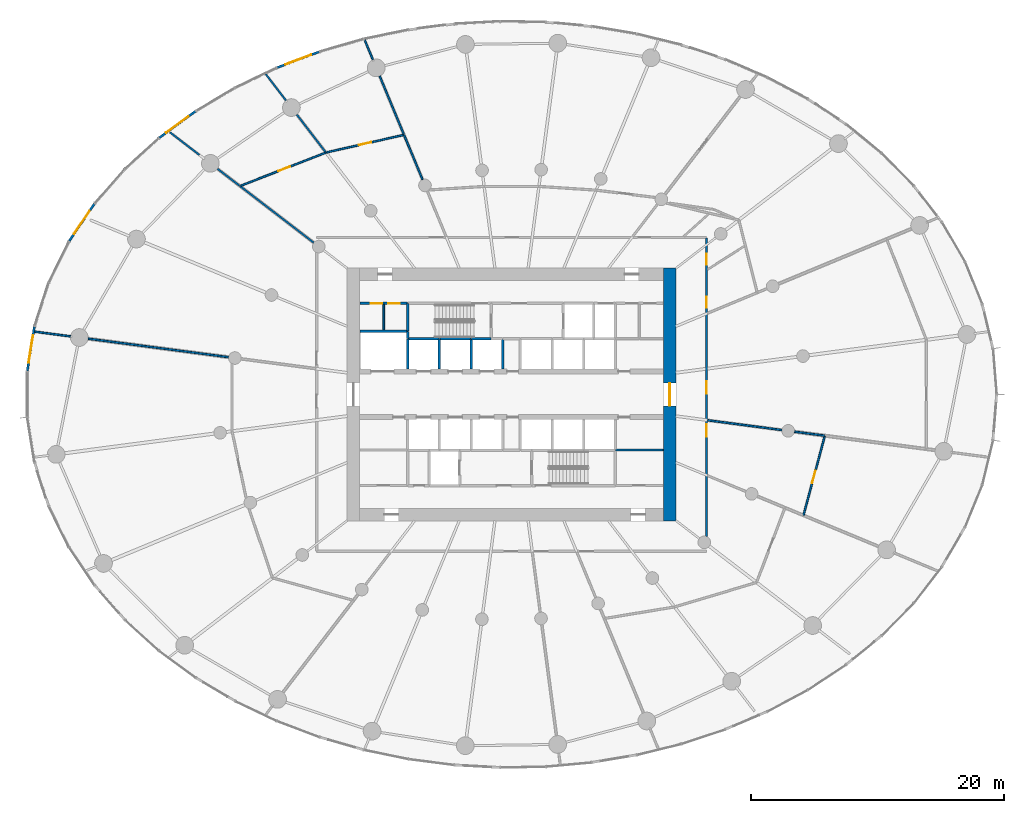
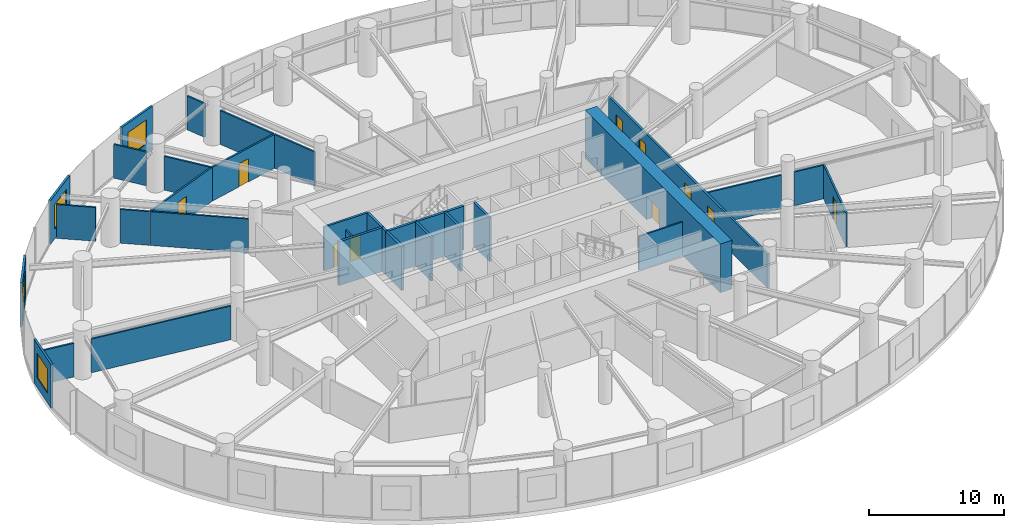
# One storey, part 13 of 19: 34 walls, 10 doors, 4 windows, 14 openings.
"""IFC4 building model written with IfcOpenShell, lengths in metres."""

from ifc_helpers import new_model, si_unit, direction, frame, frame_2d, origin, place, context, subcontext, project, spatial, rectangle, extrude, source, transform, mapped, material, layer, layer_set, type_object, element, fill, save


model = new_model("IFC4")

# Units and contexts
model_context = context("Model", 3, precision=1e-05, world=origin(), true_north=direction((0.0, 1.0)))
body_context = subcontext(model_context, "Body", "Model", "MODEL_VIEW")
ifc_project = project(units=[si_unit("LENGTHUNIT", "METRE"), si_unit("AREAUNIT", "SQUARE_METRE"), si_unit("VOLUMEUNIT", "CUBIC_METRE"), si_unit("PLANEANGLEUNIT", "RADIAN"), si_unit("MASSUNIT", "GRAM", prefix="KILO")], contexts=[model_context])

# Site, building, storey
site_placement = place(None, origin())
site = spatial("IfcSite", under=ifc_project, at=site_placement, CompositionType="ELEMENT")
building_placement = place(site_placement, origin())
building = spatial("IfcBuilding", under=site, at=building_placement, Name="Spindrift Exchange Tower", CompositionType="ELEMENT")
storey_placement = place(building_placement, frame((0.0, 0.0, 22.60009765625)))
storey = spatial("IfcBuildingStorey", under=building, at=storey_placement, Name="L05", CompositionType="ELEMENT", Elevation=22.60009765625)

# Wall, opening, door
ifc_material_1 = material(Name="Concrete 80 MPa", Category="concrete")
ifc_layer_1 = layer(ifc_material_1, 1.0)
ifc_layer_set_1 = layer_set([ifc_layer_1], Name="RC Core Wall 1000 Concrete 80 MPa")
wall_type_1 = type_object("IfcWallType", Name="RC Core Wall 1000 Concrete 80 MPa", PredefinedType="SHEAR", material=ifc_layer_set_1)
wall_1_placement = place(storey_placement, frame((64.5, 38.0, 0.0), z_axis=(0.0, 0.0, 1.0), x_axis=(0.0, 1.0, 0.0)))
wall_1 = element("IfcWall", 1, at=wall_1_placement, inside=storey, type_object=wall_type_1, Name="Core wall E L05", PredefinedType="SHEAR", context=body_context, shape_type="SweptSolid", body=[
    extrude(rectangle(XDim=20.0, YDim=1.0, at=frame_2d((10.0, 0.0))), origin(), (0.0, 0.0, 1.0), 4.39990234375),
])
opening_1_placement = place(wall_1_placement, frame((9.10009765625, 0.0, 0.0)))
opening_1 = element("IfcOpeningElement", 2, at=opening_1_placement, cuts=wall_1, Name="Opening L05-D2", PredefinedType="OPENING", context=body_context, shape_type="SweptSolid", body=[
    extrude(rectangle(XDim=1.800048828125, YDim=2.10009765625, at=frame_2d((0.89990234375, 1.050048828125))), frame((0.0, 0.510009765625, 0.0), z_axis=(0.0, -1.0, 0.0), x_axis=(1.0, 0.0, 0.0)), (0.0, 0.0, 1.0), 1.02001953125),
])
ifc_material_2 = material(Name="Timber-core fire door", Category="wood")
door_type_1 = type_object("IfcDoorType", Name="DR-LOBBY-1800", OperationType="NOTDEFINED", PredefinedType="DOOR", material=ifc_material_2)
shared_shape_1 = source(origin(), body_context, "Body", "SweptSolid", [
    extrude(rectangle(XDim=1.800048828125, YDim=2.10009765625, at=frame_2d((0.89990234375, 1.050048828125))), frame((0.0, 0.02490234375, 0.0), z_axis=(0.0, -1.0, 0.0), x_axis=(1.0, 0.0, 0.0)), (0.0, 0.0, 1.0), 0.050048828125),
])
door_1_placement = place(opening_1_placement, origin())
door_1 = element("IfcDoor", 3, at=door_1_placement, inside=storey, type_object=door_type_1, Name="L05 Lobby door 2", OperationType="SINGLE_SWING_LEFT", OverallHeight=2.10009765625, OverallWidth=1.800048828125, PredefinedType="DOOR", context=body_context, shape_type="MappedRepresentation", body=[
    mapped(shared_shape_1, transform((0.0, 0.0, 0.0), scale=1.0)),
])
fill(opening_1, door_1)

# Wall, opening, window
ifc_material_3 = material(Name="Bronze anodised aluminium frame with fritted laminated glass spandrel", Category="aluminium")
ifc_layer_2 = layer(ifc_material_3, 0.179931640625)
ifc_layer_set_2 = layer_set([ifc_layer_2], Name="UNITISED FRAME WALL")
wall_type_2 = type_object("IfcWallType", Name="UNITISED FRAME WALL", PredefinedType="STANDARD", material=ifc_layer_set_2)
wall_2_placement = place(storey_placement, frame((36.79736328125, 75.081298828125, 0.0), z_axis=(0.0, 0.0, 1.0), x_axis=(-0.935674191619, -0.352865140157, 0.0)))
wall_2 = element("IfcWall", 4, at=wall_2_placement, inside=storey, type_object=wall_type_2, Name="L05 Frame Wall 20", PredefinedType="STANDARD", context=body_context, shape_type="SweptSolid", body=[
    extrude(rectangle(XDim=3.54736328125, YDim=0.179931640625, at=frame_2d((1.773681640625, 0.0))), origin(), (0.0, 0.0, 1.0), 3.949951171875),
])
opening_2_placement = place(wall_2_placement, frame((0.673583984375, 0.0, 0.89990234375)))
opening_2 = element("IfcOpeningElement", 5, at=opening_2_placement, cuts=wall_2, Name="Opening WV05-07", PredefinedType="OPENING", context=body_context, shape_type="SweptSolid", body=[
    extrude(rectangle(XDim=2.199951171875, YDim=2.199951171875, at=frame_2d((1.10009765625, 1.10009765625))), frame((0.0, 0.099853515625, 0.0), z_axis=(0.0, -1.0, 0.0), x_axis=(1.0, 0.0, 0.0)), (0.0, 0.0, 1.0), 0.199951171875),
])
ifc_material_4 = material(Name="Clear laminated low-iron glass in bronze frame", Category="glass")
window_type = type_object("IfcWindowType", Name="OPERABLE CLEAR VENT 2200X2200", PartitioningType="SINGLE_PANEL", PredefinedType="WINDOW", material=ifc_material_4)
shared_shape_2 = source(origin(), body_context, "Body", "SweptSolid", [
    extrude(rectangle(XDim=2.199951171875, YDim=2.199951171875, at=frame_2d((1.10009765625, 1.10009765625))), frame((0.0, 0.030029296875, 0.0), z_axis=(0.0, -1.0, 0.0), x_axis=(1.0, 0.0, 0.0)), (0.0, 0.0, 1.0), 0.06005859375),
])
window_1_placement = place(opening_2_placement, origin())
window_1 = element("IfcWindow", 6, at=window_1_placement, inside=storey, type_object=window_type, Name="L05 Operable Vent WV05-07", OverallHeight=2.199951171875, OverallWidth=2.199951171875, PartitioningType="SINGLE_PANEL", PredefinedType="WINDOW", context=body_context, shape_type="MappedRepresentation", body=[
    mapped(shared_shape_2, transform((0.0, 0.0, 0.0), scale=1.0)),
])
fill(opening_2, window_1)

wall_3_placement = place(storey_placement, frame((27.01611328125, 70.378662109375, 0.0), z_axis=(0.0, 0.0, 1.0), x_axis=(-0.806584417143, -0.591118920373, 0.0)))
wall_3 = element("IfcWall", 7, at=wall_3_placement, inside=storey, type_object=wall_type_2, Name="L05 Frame Wall 23", PredefinedType="STANDARD", context=body_context, shape_type="SweptSolid", body=[
    extrude(rectangle(XDim=3.546630859375, YDim=0.179931640625, at=frame_2d((1.7734375, 0.0))), origin(), (0.0, 0.0, 1.0), 3.949951171875),
])
opening_3_placement = place(wall_3_placement, frame((0.67333984375, 0.0, 0.89990234375)))
opening_3 = element("IfcOpeningElement", 8, at=opening_3_placement, cuts=wall_3, Name="Opening WV05-08", PredefinedType="OPENING", context=body_context, shape_type="SweptSolid", body=[
    extrude(rectangle(XDim=2.199951171875, YDim=2.199951171875, at=frame_2d((1.10009765625, 1.10009765625))), frame((0.0, 0.099853515625, 0.0), z_axis=(0.0, -1.0, 0.0), x_axis=(1.0, 0.0, 0.0)), (0.0, 0.0, 1.0), 0.199951171875),
])
window_2_placement = place(opening_3_placement, origin())
window_2 = element("IfcWindow", 9, at=window_2_placement, inside=storey, type_object=window_type, Name="L05 Operable Vent WV05-08", OverallHeight=2.199951171875, OverallWidth=2.199951171875, PartitioningType="SINGLE_PANEL", PredefinedType="WINDOW", context=body_context, shape_type="MappedRepresentation", body=[
    mapped(shared_shape_2, transform((0.0, 0.0, 0.0), scale=1.0)),
])
fill(opening_3, window_2)

wall_4_placement = place(storey_placement, frame((19.027099609375, 63.059814453125, 0.0), z_axis=(0.0, 0.0, 1.0), x_axis=(-0.560217664382, -0.828345440329, 0.0)))
wall_4 = element("IfcWall", 10, at=wall_4_placement, inside=storey, type_object=wall_type_2, Name="L05 Frame Wall 26", PredefinedType="STANDARD", context=body_context, shape_type="SweptSolid", body=[
    extrude(rectangle(XDim=3.545654296875, YDim=0.179931640625, at=frame_2d((1.77294921875, 0.0))), origin(), (0.0, 0.0, 1.0), 3.949951171875),
])
opening_4_placement = place(wall_4_placement, frame((0.6728515625, 0.0, 0.89990234375)))
opening_4 = element("IfcOpeningElement", 11, at=opening_4_placement, cuts=wall_4, Name="Opening WV05-09", PredefinedType="OPENING", context=body_context, shape_type="SweptSolid", body=[
    extrude(rectangle(XDim=2.199951171875, YDim=2.199951171875, at=frame_2d((1.10009765625, 1.10009765625))), frame((0.0, 0.099853515625, 0.0), z_axis=(0.0, -1.0, 0.0), x_axis=(1.0, 0.0, 0.0)), (0.0, 0.0, 1.0), 0.199951171875),
])
window_3_placement = place(opening_4_placement, origin())
window_3 = element("IfcWindow", 12, at=window_3_placement, inside=storey, type_object=window_type, Name="L05 Operable Vent WV05-09", OverallHeight=2.199951171875, OverallWidth=2.199951171875, PartitioningType="SINGLE_PANEL", PredefinedType="WINDOW", context=body_context, shape_type="MappedRepresentation", body=[
    mapped(shared_shape_2, transform((0.0, 0.0, 0.0), scale=1.0)),
])
fill(opening_4, window_3)

wall_5_placement = place(storey_placement, frame((14.28955078125, 53.3515625, 0.0), z_axis=(0.0, 0.0, 1.0), x_axis=(-0.15821884536, -0.987404069757, 0.0)))
wall_5 = element("IfcWall", 13, at=wall_5_placement, inside=storey, type_object=wall_type_2, Name="L05 Frame Wall 29", PredefinedType="STANDARD", context=body_context, shape_type="SweptSolid", body=[
    extrude(rectangle(XDim=3.54443359375, YDim=0.179931640625, at=frame_2d((1.772216796875, 0.0))), origin(), (0.0, 0.0, 1.0), 3.949951171875),
])
opening_5_placement = place(wall_5_placement, frame((0.672119140625, 0.0, 0.89990234375)))
opening_5 = element("IfcOpeningElement", 14, at=opening_5_placement, cuts=wall_5, Name="Opening WV05-10", PredefinedType="OPENING", context=body_context, shape_type="SweptSolid", body=[
    extrude(rectangle(XDim=2.199951171875, YDim=2.199951171875, at=frame_2d((1.10009765625, 1.10009765625))), frame((0.0, 0.099853515625, 0.0), z_axis=(0.0, -1.0, 0.0), x_axis=(1.0, 0.0, 0.0)), (0.0, 0.0, 1.0), 0.199951171875),
])
window_4_placement = place(opening_5_placement, origin())
window_4 = element("IfcWindow", 15, at=window_4_placement, inside=storey, type_object=window_type, Name="L05 Operable Vent WV05-10", OverallHeight=2.199951171875, OverallWidth=2.199951171875, PartitioningType="SINGLE_PANEL", PredefinedType="WINDOW", context=body_context, shape_type="MappedRepresentation", body=[
    mapped(shared_shape_2, transform((0.0, 0.0, 0.0), scale=1.0)),
])
fill(opening_5, window_4)

# Wall, openings, doors
ifc_material_5 = material(Name="Fire-rated plasterboard partition", Category="gypsum")
ifc_layer_3 = layer(ifc_material_5, 0.179931640625)
ifc_layer_set_3 = layer_set([ifc_layer_3], Name="W-CORR-180")
wall_type_3 = type_object("IfcWallType", Name="W-CORR-180", PredefinedType="PARTITIONING", material=ifc_layer_set_3)
wall_6_placement = place(storey_placement, frame((43.77001953125, 55.199951171875, 0.0), z_axis=(0.0, 0.0, 1.0), x_axis=(-1.0, 0.0, 0.0)))
wall_6 = element("IfcWall", 16, at=wall_6_placement, inside=storey, type_object=wall_type_3, Name="L05 Partition wall 62", PredefinedType="PARTITIONING", context=body_context, shape_type="SweptSolid", body=[
    extrude(rectangle(XDim=3.75, YDim=0.179931640625, at=frame_2d((1.875, 0.0))), origin(), (0.0, 0.0, 1.0), 3.949951171875),
])
opening_6_placement = place(wall_6_placement, frame((2.0, 0.0, 0.0)))
opening_6 = element("IfcOpeningElement", 17, at=opening_6_placement, cuts=wall_6, Name="Opening L05-D44", PredefinedType="OPENING", context=body_context, shape_type="SweptSolid", body=[
    extrude(rectangle(XDim=0.89990234375, YDim=2.10009765625, at=frame_2d((0.449951171875, 1.050048828125))), frame((0.0, 0.099853515625, 0.0), z_axis=(0.0, -1.0, 0.0), x_axis=(1.0, 0.0, 0.0)), (0.0, 0.0, 1.0), 0.199951171875),
])
opening_7_placement = place(wall_6_placement, frame((0.60009765625, 0.0, 0.0)))
opening_7 = element("IfcOpeningElement", 18, at=opening_7_placement, cuts=wall_6, Name="Opening L05-D45", PredefinedType="OPENING", context=body_context, shape_type="SweptSolid", body=[
    extrude(rectangle(XDim=0.89990234375, YDim=2.10009765625, at=frame_2d((0.449951171875, 1.050048828125))), frame((0.0, 0.099853515625, 0.0), z_axis=(0.0, -1.0, 0.0), x_axis=(1.0, 0.0, 0.0)), (0.0, 0.0, 1.0), 0.199951171875),
])
ifc_material_6 = material(Name="Steel access door", Category="steel")
door_type_2 = type_object("IfcDoorType", Name="DR-RISER-900", OperationType="NOTDEFINED", PredefinedType="DOOR", material=ifc_material_6)
shared_shape_3 = source(origin(), body_context, "Body", "SweptSolid", [
    extrude(rectangle(XDim=0.89990234375, YDim=2.10009765625, at=frame_2d((0.449951171875, 1.050048828125))), frame((0.0, 0.02490234375, 0.0), z_axis=(0.0, -1.0, 0.0), x_axis=(1.0, 0.0, 0.0)), (0.0, 0.0, 1.0), 0.050048828125),
])
door_2_placement = place(opening_6_placement, origin())
door_2 = element("IfcDoor", 19, at=door_2_placement, inside=storey, type_object=door_type_2, Name="L05 Riser door 44", OperationType="SINGLE_SWING_LEFT", OverallHeight=2.10009765625, OverallWidth=0.89990234375, PredefinedType="DOOR", context=body_context, shape_type="MappedRepresentation", body=[
    mapped(shared_shape_3, transform((0.0, 0.0, 0.0), scale=1.0)),
])
fill(opening_6, door_2)
door_3_placement = place(opening_7_placement, origin())
door_3 = element("IfcDoor", 20, at=door_3_placement, inside=storey, type_object=door_type_2, Name="L05 Riser door 45", OperationType="SINGLE_SWING_RIGHT", OverallHeight=2.10009765625, OverallWidth=0.89990234375, PredefinedType="DOOR", context=body_context, shape_type="MappedRepresentation", body=[
    mapped(shared_shape_3, transform((0.0, 0.0, 0.0), scale=1.0)),
])
fill(opening_7, door_3)

# Walls
ifc_layer_4 = layer(ifc_material_5, 0.139892578125)
ifc_layer_set_4 = layer_set([ifc_layer_4], Name="W-PART-140")
wall_type_4 = type_object("IfcWallType", Name="W-PART-140", PredefinedType="PARTITIONING", material=ifc_layer_set_4)
wall_7_placement = place(storey_placement, frame((29.63671875, 50.944091796875, 0.0), z_axis=(0.0, 0.0, 1.0), x_axis=(-0.991443306772, 0.130538000051, 0.0)))
element("IfcWall", 21, at=wall_7_placement, inside=storey, type_object=wall_type_4, Name="L05 Partition wall 65", PredefinedType="PARTITIONING", context=body_context, shape_type="SweptSolid", body=[
    extrude(rectangle(XDim=11.1953125, YDim=0.139892578125, at=frame_2d((5.59765625, 0.0))), origin(), (0.0, 0.0, 1.0), 3.0498046875),
])
wall_8_placement = place(storey_placement, frame((43.4755859375, 68.579833984375, 0.0), z_axis=(0.0, 0.0, 1.0), x_axis=(-0.382679643563, 0.923881101875, 0.0)))
element("IfcWall", 22, at=wall_8_placement, inside=storey, type_object=wall_type_4, Name="L05 Partition wall 90", PredefinedType="PARTITIONING", context=body_context, shape_type="SweptSolid", body=[
    extrude(rectangle(XDim=4.95458984375, YDim=0.139892578125, at=frame_2d((2.477294921875, 0.0))), origin(), (0.0, 0.0, 1.0), 3.0498046875),
])
wall_9_placement = place(storey_placement, frame((37.287841796875, 67.17333984375, 0.0), z_axis=(0.0, 0.0, 1.0), x_axis=(-0.608786962905, 0.79333374679, 0.0)))
element("IfcWall", 23, at=wall_9_placement, inside=storey, type_object=wall_type_4, Name="L05 Partition wall 100", PredefinedType="PARTITIONING", context=body_context, shape_type="SweptSolid", body=[
    extrude(rectangle(XDim=3.70556640625, YDim=0.139892578125, at=frame_2d((1.852783203125, 0.0))), origin(), (0.0, 0.0, 1.0), 3.0498046875),
])
wall_10_placement = place(storey_placement, frame((60.22998046875, 43.60009765625, 0.0), z_axis=(0.0, 0.0, 1.0), x_axis=(1.0, 0.0, 0.0)))
element("IfcWall", 24, at=wall_10_placement, inside=storey, type_object=wall_type_4, Name="L05 Partition wall 102", PredefinedType="PARTITIONING", context=body_context, shape_type="SweptSolid", body=[
    extrude(rectangle(XDim=3.75, YDim=0.139892578125, at=frame_2d((1.875, 0.0))), origin(), (0.0, 0.0, 1.0), 3.0498046875),
])
wall_11_placement = place(storey_placement, frame((27.323486328125, 66.93505859375, 0.0), z_axis=(0.0, 0.0, 1.0), x_axis=(-0.793378830646, 0.608728207892, 0.0)))
element("IfcWall", 25, at=wall_11_placement, inside=storey, type_object=wall_type_4, Name="L05 Partition wall 104", PredefinedType="PARTITIONING", context=body_context, shape_type="SweptSolid", body=[
    extrude(rectangle(XDim=2.91943359375, YDim=0.139892578125, at=frame_2d((1.459716796875, 0.0))), origin(), (0.0, 0.0, 1.0), 3.0498046875),
])
wall_12_placement = place(storey_placement, frame((17.140625, 52.58935546875, 0.0), z_axis=(0.0, 0.0, 1.0), x_axis=(-0.991443227873, 0.130538599287, 0.0)))
element("IfcWall", 26, at=wall_12_placement, inside=storey, type_object=wall_type_4, Name="L05 Partition wall 109", PredefinedType="PARTITIONING", context=body_context, shape_type="SweptSolid", body=[
    extrude(rectangle(XDim=2.85400390625, YDim=0.139892578125, at=frame_2d((1.427001953125, 0.0))), origin(), (0.0, 0.0, 1.0), 3.0498046875),
])
wall_13_placement = place(storey_placement, frame((34.1748046875, 71.23046875, 0.0), z_axis=(0.0, 0.0, 1.0), x_axis=(-0.608811983243, 0.793314546104, 0.0)))
element("IfcWall", 27, at=wall_13_placement, inside=storey, type_object=wall_type_4, Name="L05 Partition wall 111", PredefinedType="PARTITIONING", context=body_context, shape_type="SweptSolid", body=[
    extrude(rectangle(XDim=2.626708984375, YDim=0.139892578125, at=frame_2d((1.3134765625, 0.0))), origin(), (0.0, 0.0, 1.0), 3.0498046875),
])
wall_14_placement = place(storey_placement, frame((30.512939453125, 64.487548828125, 0.0), z_axis=(0.0, 0.0, 1.0), x_axis=(-0.793382466046, 0.608723469706, 0.0)))
element("IfcWall", 28, at=wall_14_placement, inside=storey, type_object=wall_type_4, Name="L05 Partition wall 114", PredefinedType="PARTITIONING", context=body_context, shape_type="SweptSolid", body=[
    extrude(rectangle(XDim=2.2119140625, YDim=0.139892578125, at=frame_2d((1.10595703125, 0.0))), origin(), (0.0, 0.0, 1.0), 3.0498046875),
])
wall_15_placement = place(storey_placement, frame((41.89990234375, 53.10009765625, 0.0), z_axis=(0.0, 0.0, 1.0), x_axis=(0.0, 1.0, 0.0)))
element("IfcWall", 29, at=wall_15_placement, inside=storey, type_object=wall_type_4, Name="L05 Partition wall 115", PredefinedType="PARTITIONING", context=body_context, shape_type="SweptSolid", body=[
    extrude(rectangle(XDim=2.010009765625, YDim=0.139892578125, at=frame_2d((1.0048828125, 0.0))), origin(), (0.0, 0.0, 1.0), 3.0498046875),
])
wall_16_placement = place(storey_placement, frame((41.039794921875, 74.4599609375, 0.0), z_axis=(0.0, 0.0, 1.0), x_axis=(-0.382571117301, 0.923926046936, 0.0)))
element("IfcWall", 30, at=wall_16_placement, inside=storey, type_object=wall_type_4, Name="L05 Partition wall 120", PredefinedType="PARTITIONING", context=body_context, shape_type="SweptSolid", body=[
    extrude(rectangle(XDim=1.67138671875, YDim=0.139892578125, at=frame_2d((0.835693359375, 0.0))), origin(), (0.0, 0.0, 1.0), 3.0498046875),
])
ifc_layer_5 = layer(ifc_material_5, 0.139892578125)
ifc_layer_set_5 = layer_set([ifc_layer_5], Name="W-PLANT-140")
wall_type_5 = type_object("IfcWallType", Name="W-PLANT-140", PredefinedType="PARTITIONING", material=ifc_layer_set_5)
wall_17_placement = place(storey_placement, frame((36.367431640625, 59.995361328125, 0.0), z_axis=(0.0, 0.0, 1.0), x_axis=(-0.793358203631, 0.608755090928, 0.0)))
element("IfcWall", 31, at=wall_17_placement, inside=storey, type_object=wall_type_5, Name="L05 Partition wall 74", PredefinedType="PARTITIONING", context=body_context, shape_type="SweptSolid", body=[
    extrude(rectangle(XDim=7.34912109375, YDim=0.139892578125, at=frame_2d((3.674560546875, 0.0))), origin(), (0.0, 0.0, 1.0), 3.0498046875),
])

# Wall, opening, door
wall_18_placement = place(storey_placement, frame((30.613037109375, 64.4990234375, 0.0), z_axis=(0.0, 0.0, 1.0), x_axis=(0.931844457787, 0.362857970137, 0.0)))
wall_18 = element("IfcWall", 32, at=wall_18_placement, inside=storey, type_object=wall_type_5, Name="L05 Partition wall 75", PredefinedType="PARTITIONING", context=body_context, shape_type="SweptSolid", body=[
    extrude(rectangle(XDim=7.210693359375, YDim=0.139892578125, at=frame_2d((3.60546875, 0.0))), origin(), (0.0, 0.0, 1.0), 3.0498046875),
])
opening_8_placement = place(wall_18_placement, frame((3.16064453125, 0.0, 0.0)))
opening_8 = element("IfcOpeningElement", 33, at=opening_8_placement, cuts=wall_18, Name="Opening L05-D34", PredefinedType="OPENING", context=body_context, shape_type="SweptSolid", body=[
    extrude(rectangle(XDim=1.0, YDim=2.10009765625, at=frame_2d((0.5, 1.050048828125))), frame((0.0, 0.079833984375, 0.0), z_axis=(0.0, -1.0, 0.0), x_axis=(1.0, 0.0, 0.0)), (0.0, 0.0, 1.0), 0.159912109375),
])
door_type_3 = type_object("IfcDoorType", Name="DR-ROOM-1000", OperationType="NOTDEFINED", PredefinedType="DOOR", material=ifc_material_2)
shared_shape_4 = source(origin(), body_context, "Body", "SweptSolid", [
    extrude(rectangle(XDim=1.0, YDim=2.10009765625, at=frame_2d((0.5, 1.050048828125))), frame((0.0, 0.02490234375, 0.0), z_axis=(0.0, -1.0, 0.0), x_axis=(1.0, 0.0, 0.0)), (0.0, 0.0, 1.0), 0.050048828125),
])
door_4_placement = place(opening_8_placement, origin())
door_4 = element("IfcDoor", 34, at=door_4_placement, inside=storey, type_object=door_type_3, Name="L05 Door 34", OperationType="SINGLE_SWING_LEFT", OverallHeight=2.10009765625, OverallWidth=1.0, PredefinedType="DOOR", context=body_context, shape_type="MappedRepresentation", body=[
    mapped(shared_shape_4, transform((0.0, 0.0, 0.0), scale=1.0)),
])
fill(opening_8, door_4)

wall_19_placement = place(storey_placement, frame((76.753662109375, 44.711181640625, 0.0), z_axis=(0.0, 0.0, 1.0), x_axis=(-0.259521453513, -0.965737342742, 0.0)))
wall_19 = element("IfcWall", 35, at=wall_19_placement, inside=storey, type_object=wall_type_5, Name="L05 Partition wall 78", PredefinedType="PARTITIONING", context=body_context, shape_type="SweptSolid", body=[
    extrude(rectangle(XDim=6.4892578125, YDim=0.139892578125, at=frame_2d((3.24462890625, 0.0))), origin(), (0.0, 0.0, 1.0), 3.0498046875),
])
opening_9_placement = place(wall_19_placement, frame((2.839111328125, 0.0, 0.0)))
opening_9 = element("IfcOpeningElement", 36, at=opening_9_placement, cuts=wall_19, Name="Opening L05-D43", PredefinedType="OPENING", context=body_context, shape_type="SweptSolid", body=[
    extrude(rectangle(XDim=1.0, YDim=2.10009765625, at=frame_2d((0.5, 1.050048828125))), frame((0.0, 0.079833984375, 0.0), z_axis=(0.0, -1.0, 0.0), x_axis=(1.0, 0.0, 0.0)), (0.0, 0.0, 1.0), 0.159912109375),
])
door_5_placement = place(opening_9_placement, origin())
door_5 = element("IfcDoor", 37, at=door_5_placement, inside=storey, type_object=door_type_3, Name="L05 Door 43", OperationType="SINGLE_SWING_RIGHT", OverallHeight=2.10009765625, OverallWidth=1.0, PredefinedType="DOOR", context=body_context, shape_type="MappedRepresentation", body=[
    mapped(shared_shape_4, transform((0.0, 0.0, 0.0), scale=1.0)),
])
fill(opening_9, door_5)

wall_20_placement = place(storey_placement, frame((37.361328125, 67.1220703125, 0.0), z_axis=(0.0, 0.0, 1.0), x_axis=(0.975258757594, 0.221066405717, 0.0)))
wall_20 = element("IfcWall", 38, at=wall_20_placement, inside=storey, type_object=wall_type_5, Name="L05 Partition wall 80", PredefinedType="PARTITIONING", context=body_context, shape_type="SweptSolid", body=[
    extrude(rectangle(XDim=6.297119140625, YDim=0.139892578125, at=frame_2d((3.1484375, 0.0))), origin(), (0.0, 0.0, 1.0), 3.0498046875),
])
opening_10_placement = place(wall_20_placement, frame((2.647216796875, 0.0, 0.0)))
opening_10 = element("IfcOpeningElement", 39, at=opening_10_placement, cuts=wall_20, Name="Opening L05-D33", PredefinedType="OPENING", context=body_context, shape_type="SweptSolid", body=[
    extrude(rectangle(XDim=1.0, YDim=2.10009765625, at=frame_2d((0.5, 1.050048828125))), frame((0.0, 0.079833984375, 0.0), z_axis=(0.0, -1.0, 0.0), x_axis=(1.0, 0.0, 0.0)), (0.0, 0.0, 1.0), 0.159912109375),
])
door_6_placement = place(opening_10_placement, origin())
door_6 = element("IfcDoor", 40, at=door_6_placement, inside=storey, type_object=door_type_3, Name="L05 Door 33", OperationType="SINGLE_SWING_RIGHT", OverallHeight=2.10009765625, OverallWidth=1.0, PredefinedType="DOOR", context=body_context, shape_type="MappedRepresentation", body=[
    mapped(shared_shape_4, transform((0.0, 0.0, 0.0), scale=1.0)),
])
fill(opening_10, door_6)

# Walls
wall_21_placement = place(storey_placement, frame((67.489990234375, 45.960693359375, 0.0), z_axis=(0.0, 0.0, 1.0), x_axis=(0.991445034615, -0.130524876315, 0.0)))
element("IfcWall", 41, at=wall_21_placement, inside=storey, type_object=wall_type_5, Name="L05 Partition wall 82", PredefinedType="PARTITIONING", context=body_context, shape_type="SweptSolid", body=[
    extrude(rectangle(XDim=5.923828125, YDim=0.139892578125, at=frame_2d((2.9619140625, 0.0))), origin(), (0.0, 0.0, 1.0), 3.0498046875),
])
wall_22_placement = place(storey_placement, frame((44.965087890625, 64.984130859375, 0.0), z_axis=(0.0, 0.0, 1.0), x_axis=(-0.382721482583, 0.923863770677, 0.0)))
element("IfcWall", 42, at=wall_22_placement, inside=storey, type_object=wall_type_5, Name="L05 Partition wall 99", PredefinedType="PARTITIONING", context=body_context, shape_type="SweptSolid", body=[
    extrude(rectangle(XDim=3.791015625, YDim=0.139892578125, at=frame_2d((1.8955078125, 0.0))), origin(), (0.0, 0.0, 1.0), 3.0498046875),
])
wall_23_placement = place(storey_placement, frame((74.36328125, 45.055908203125, 0.0), z_axis=(0.0, 0.0, 1.0), x_axis=(0.991433759963, -0.130610488118, 0.0)))
element("IfcWall", 43, at=wall_23_placement, inside=storey, type_object=wall_type_5, Name="L05 Partition wall 112", PredefinedType="PARTITIONING", context=body_context, shape_type="SweptSolid", body=[
    extrude(rectangle(XDim=2.388916015625, YDim=0.139892578125, at=frame_2d((1.1943359375, 0.0))), origin(), (0.0, 0.0, 1.0), 3.0498046875),
])

# Wall, openings, doors
ifc_layer_6 = layer(ifc_material_5, 0.179931640625)
ifc_layer_set_6 = layer_set([ifc_layer_6], Name="W-PLANT-180")
wall_type_6 = type_object("IfcWallType", Name="W-PLANT-180", PredefinedType="PARTITIONING", material=ifc_layer_set_6)
wall_24_placement = place(storey_placement, frame((67.39990234375, 60.3701171875, 0.0), z_axis=(0.0, 0.0, 1.0), x_axis=(0.0, -1.0, 0.0)))
wall_24 = element("IfcWall", 44, at=wall_24_placement, inside=storey, type_object=wall_type_6, Name="L05 Partition wall 59", PredefinedType="PARTITIONING", context=body_context, shape_type="SweptSolid", body=[
    extrude(rectangle(XDim=23.58251953125, YDim=0.179931640625, at=frame_2d((11.791259765625, 0.0))), origin(), (0.0, 0.0, 1.0), 3.0498046875),
])
opening_11_placement = place(wall_24_placement, frame((11.33251953125, 0.0, 0.0)))
opening_11 = element("IfcOpeningElement", 45, at=opening_11_placement, cuts=wall_24, Name="Opening L05-D24", PredefinedType="OPENING", context=body_context, shape_type="SweptSolid", body=[
    extrude(rectangle(XDim=1.0, YDim=2.10009765625, at=frame_2d((0.5, 1.050048828125))), frame((0.0, 0.099853515625, 0.0), z_axis=(0.0, -1.0, 0.0), x_axis=(1.0, 0.0, 0.0)), (0.0, 0.0, 1.0), 0.199951171875),
])
opening_12_placement = place(wall_24_placement, frame((4.632568359375, 0.0, 0.0)))
opening_12 = element("IfcOpeningElement", 46, at=opening_12_placement, cuts=wall_24, Name="Opening L05-D26", PredefinedType="OPENING", context=body_context, shape_type="SweptSolid", body=[
    extrude(rectangle(XDim=0.89990234375, YDim=2.10009765625, at=frame_2d((0.449951171875, 1.050048828125))), frame((0.0, 0.099853515625, 0.0), z_axis=(0.0, -1.0, 0.0), x_axis=(1.0, 0.0, 0.0)), (0.0, 0.0, 1.0), 0.199951171875),
])
opening_13_placement = place(wall_24_placement, frame((1.232421875, 0.0, 0.0)))
opening_13 = element("IfcOpeningElement", 47, at=opening_13_placement, cuts=wall_24, Name="Opening L05-D27", PredefinedType="OPENING", context=body_context, shape_type="SweptSolid", body=[
    extrude(rectangle(XDim=0.89990234375, YDim=2.10009765625, at=frame_2d((0.449951171875, 1.050048828125))), frame((0.0, 0.099853515625, 0.0), z_axis=(0.0, -1.0, 0.0), x_axis=(1.0, 0.0, 0.0)), (0.0, 0.0, 1.0), 0.199951171875),
])
opening_14_placement = place(wall_24_placement, frame((14.732421875, 0.0, 0.0)))
opening_14 = element("IfcOpeningElement", 48, at=opening_14_placement, cuts=wall_24, Name="Opening L05-D42", PredefinedType="OPENING", context=body_context, shape_type="SweptSolid", body=[
    extrude(rectangle(XDim=1.0, YDim=2.10009765625, at=frame_2d((0.5, 1.050048828125))), frame((0.0, 0.099853515625, 0.0), z_axis=(0.0, -1.0, 0.0), x_axis=(1.0, 0.0, 0.0)), (0.0, 0.0, 1.0), 0.199951171875),
])
door_7_placement = place(opening_11_placement, origin())
door_7 = element("IfcDoor", 49, at=door_7_placement, inside=storey, type_object=door_type_3, Name="L05 Door 24", OperationType="SINGLE_SWING_LEFT", OverallHeight=2.10009765625, OverallWidth=1.0, PredefinedType="DOOR", context=body_context, shape_type="MappedRepresentation", body=[
    mapped(shared_shape_4, transform((0.0, 0.0, 0.0), scale=1.0)),
])
fill(opening_11, door_7)
door_8_placement = place(opening_14_placement, origin())
door_8 = element("IfcDoor", 50, at=door_8_placement, inside=storey, type_object=door_type_3, Name="L05 Door 42", OperationType="SINGLE_SWING_LEFT", OverallHeight=2.10009765625, OverallWidth=1.0, PredefinedType="DOOR", context=body_context, shape_type="MappedRepresentation", body=[
    mapped(shared_shape_4, transform((0.0, 0.0, 0.0), scale=1.0)),
])
fill(opening_14, door_8)
ifc_material_7 = material(Name="Laminate washroom door", Category="wood")
door_type_4 = type_object("IfcDoorType", Name="DR-WC-900", OperationType="NOTDEFINED", PredefinedType="DOOR", material=ifc_material_7)
shared_shape_5 = source(origin(), body_context, "Body", "SweptSolid", [
    extrude(rectangle(XDim=0.89990234375, YDim=2.10009765625, at=frame_2d((0.449951171875, 1.050048828125))), frame((0.0, 0.02490234375, 0.0), z_axis=(0.0, -1.0, 0.0), x_axis=(1.0, 0.0, 0.0)), (0.0, 0.0, 1.0), 0.050048828125),
])
door_9_placement = place(opening_12_placement, origin())
door_9 = element("IfcDoor", 51, at=door_9_placement, inside=storey, type_object=door_type_4, Name="L05 WC door 26", OperationType="SINGLE_SWING_LEFT", OverallHeight=2.10009765625, OverallWidth=0.89990234375, PredefinedType="DOOR", context=body_context, shape_type="MappedRepresentation", body=[
    mapped(shared_shape_5, transform((0.0, 0.0, 0.0), scale=1.0)),
])
fill(opening_12, door_9)
door_10_placement = place(opening_13_placement, origin())
door_10 = element("IfcDoor", 52, at=door_10_placement, inside=storey, type_object=door_type_4, Name="L05 WC door 27", OperationType="SINGLE_SWING_RIGHT", OverallHeight=2.10009765625, OverallWidth=0.89990234375, PredefinedType="DOOR", context=body_context, shape_type="MappedRepresentation", body=[
    mapped(shared_shape_5, transform((0.0, 0.0, 0.0), scale=1.0)),
])
fill(opening_13, door_10)

# Walls
ifc_material_8 = material(Name="Concrete 40 MPa", Category="concrete")
ifc_layer_7 = layer(ifc_material_8, 0.199951171875)
ifc_layer_set_7 = layer_set([ifc_layer_7], Name="W-SHAFT-200")
wall_type_7 = type_object("IfcWallType", Name="W-SHAFT-200", PredefinedType="SOLIDWALL", material=ifc_layer_set_7)
wall_25_placement = place(storey_placement, frame((51.300048828125, 50.010009765625, 0.0), z_axis=(0.0, 0.0, 1.0), x_axis=(0.0, 1.0, 0.0)))
element("IfcWall", 53, at=wall_25_placement, inside=storey, type_object=wall_type_7, Name="L05 Shaft wall 30", PredefinedType="SOLIDWALL", context=body_context, shape_type="SweptSolid", body=[
    extrude(rectangle(XDim=2.389892578125, YDim=0.199951171875, at=frame_2d((1.19482421875, 0.0))), origin(), (0.0, 0.0, 1.0), 3.949951171875),
])
ifc_layer_8 = layer(ifc_material_8, 0.199951171875)
ifc_layer_set_8 = layer_set([ifc_layer_8], Name="W-SHAFT-200-LB")
wall_type_8 = type_object("IfcWallType", Name="W-SHAFT-200-LB", PredefinedType="SOLIDWALL", material=ifc_layer_set_8)
wall_26_placement = place(storey_placement, frame((43.800048828125, 53.0, 0.0), z_axis=(0.0, 0.0, 1.0), x_axis=(-1.0, 0.0, 0.0)))
element("IfcWall", 54, at=wall_26_placement, inside=storey, type_object=wall_type_8, Name="L05 Shaft wall 5", PredefinedType="SOLIDWALL", context=body_context, shape_type="SweptSolid", body=[
    extrude(rectangle(XDim=3.780029296875, YDim=0.199951171875, at=frame_2d((1.89013671875, 0.0))), origin(), (0.0, 0.0, 1.0), 3.949951171875),
])
wall_27_placement = place(storey_placement, frame((46.300048828125, 52.39990234375, 0.0), z_axis=(0.0, 0.0, 1.0), x_axis=(-1.0, 0.0, 0.0)))
element("IfcWall", 55, at=wall_27_placement, inside=storey, type_object=wall_type_8, Name="L05 Shaft wall 15", PredefinedType="SOLIDWALL", context=body_context, shape_type="SweptSolid", body=[
    extrude(rectangle(XDim=2.5, YDim=0.199951171875, at=frame_2d((1.25, 0.0))), origin(), (0.0, 0.0, 1.0), 3.949951171875),
])
wall_28_placement = place(storey_placement, frame((48.800048828125, 52.39990234375, 0.0), z_axis=(0.0, 0.0, 1.0), x_axis=(-1.0, 0.0, 0.0)))
element("IfcWall", 56, at=wall_28_placement, inside=storey, type_object=wall_type_8, Name="L05 Shaft wall 16", PredefinedType="SOLIDWALL", context=body_context, shape_type="SweptSolid", body=[
    extrude(rectangle(XDim=2.469970703125, YDim=0.199951171875, at=frame_2d((1.23486328125, 0.0))), origin(), (0.0, 0.0, 1.0), 3.949951171875),
])
for number, where, z_axis, x_axis, name in (
    (57, (43.800048828125, 52.3701171875, 0.0), (0.0, 0.0, 1.0), (0.0, -1.0, 0.0), "L05 Shaft wall 24"),
    (58, (46.300048828125, 50.010009765625, 0.0), (0.0, 0.0, 1.0), (0.0, 1.0, 0.0), "L05 Shaft wall 26"),
    (59, (48.800048828125, 50.010009765625, 0.0), (0.0, 0.0, 1.0), (0.0, 1.0, 0.0), "L05 Shaft wall 28"),
):
    element("IfcWall", number, at=place(storey_placement, frame(where, z_axis=z_axis, x_axis=x_axis)), inside=storey, type_object=wall_type_8, Name=name, PredefinedType="SOLIDWALL", context=body_context, shape_type="SweptSolid", body=[
        extrude(rectangle(XDim=2.360107421875, YDim=0.199951171875, at=frame_2d((1.18017578125, 0.0))), origin(), (0.0, 0.0, 1.0), 3.949951171875),
    ])
wall_29_placement = place(storey_placement, frame((43.800048828125, 55.169921875, 0.0), z_axis=(0.0, 0.0, 1.0), x_axis=(0.0, -1.0, 0.0)))
element("IfcWall", 60, at=wall_29_placement, inside=storey, type_object=wall_type_8, Name="L05 Shaft wall 39", PredefinedType="SOLIDWALL", context=body_context, shape_type="SweptSolid", body=[
    extrude(rectangle(XDim=2.139892578125, YDim=0.199951171875, at=frame_2d((1.06982421875, 0.0))), origin(), (0.0, 0.0, 1.0), 3.949951171875),
])
wall_30_placement = place(storey_placement, frame((50.3701171875, 52.39990234375, 0.0), z_axis=(0.0, 0.0, 1.0), x_axis=(-1.0, 0.0, 0.0)))
element("IfcWall", 61, at=wall_30_placement, inside=storey, type_object=wall_type_8, Name="L05 Shaft wall 45", PredefinedType="SOLIDWALL", context=body_context, shape_type="SweptSolid", body=[
    extrude(rectangle(XDim=1.5400390625, YDim=0.199951171875, at=frame_2d((0.77001953125, 0.0))), origin(), (0.0, 0.0, 1.0), 3.949951171875),
])
wall_31_placement = place(storey_placement, frame((43.800048828125, 52.429931640625, 0.0), z_axis=(0.0, 0.0, 1.0), x_axis=(0.0, 1.0, 0.0)))
element("IfcWall", 62, at=wall_31_placement, inside=storey, type_object=wall_type_8, Name="L05 Shaft wall 56", PredefinedType="SOLIDWALL", context=body_context, shape_type="SweptSolid", body=[
    extrude(rectangle(XDim=0.5400390625, YDim=0.199951171875, at=frame_2d((0.27001953125, 0.0))), origin(), (0.0, 0.0, 1.0), 3.949951171875),
])

save(model, "model.ifc")
